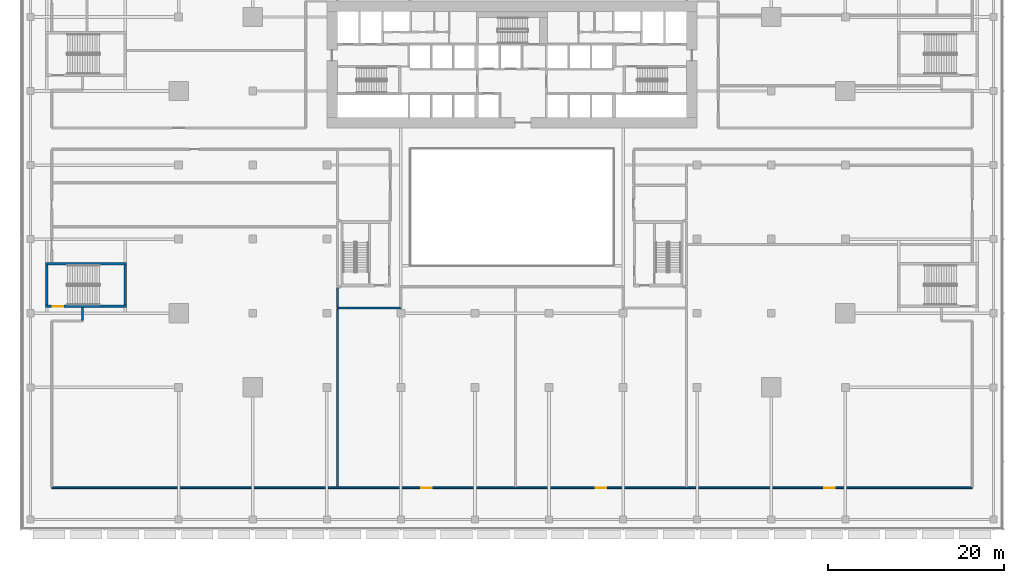
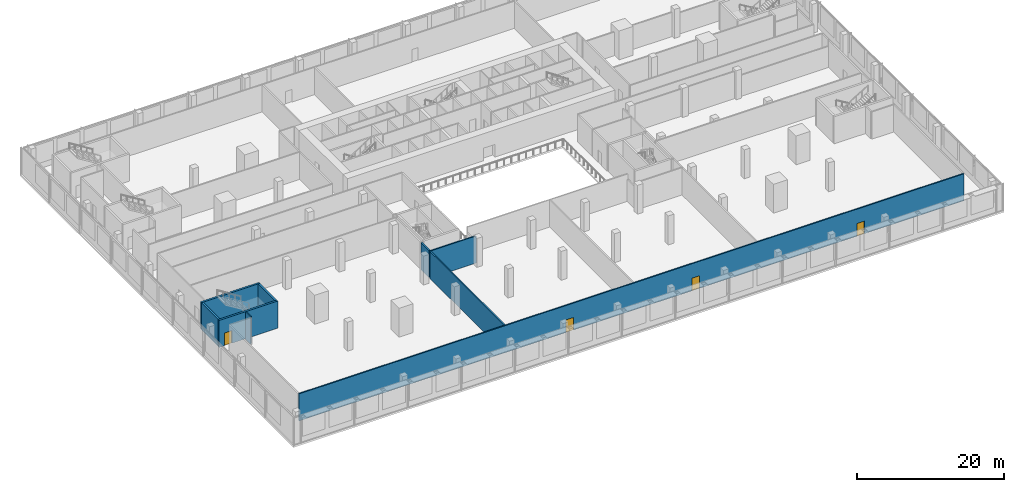
# One storey, part 26 of 39: 9 walls, 4 doors, 4 openings.
"""IFC4 building model written with IfcOpenShell, lengths in metres."""

from ifc_helpers import new_model, si_unit, direction, frame, frame_2d, origin, place, context, subcontext, project, spatial, rectangle, extrude, material, layer, layer_set, type_object, element, fill, save


model = new_model("IFC4")

# Units and contexts
model_context = context("Model", 3, precision=1e-05, world=origin(), true_north=direction((0.0, 1.0)))
body_context = subcontext(model_context, "Body", "Model", "MODEL_VIEW")
ifc_project = project(units=[si_unit("LENGTHUNIT", "METRE"), si_unit("AREAUNIT", "SQUARE_METRE"), si_unit("VOLUMEUNIT", "CUBIC_METRE"), si_unit("PLANEANGLEUNIT", "RADIAN"), si_unit("MASSUNIT", "GRAM", prefix="KILO")], contexts=[model_context])

# Site, building, storey
site_placement = place(None, origin())
site = spatial("IfcSite", under=ifc_project, at=site_placement, CompositionType="ELEMENT")
building_placement = place(site_placement, origin())
building = spatial("IfcBuilding", under=site, at=building_placement, Name="Saffron Gate Tower", CompositionType="ELEMENT")
storey_placement = place(building_placement, frame((0.0, 0.0, 14.39990234375)))
storey = spatial("IfcBuildingStorey", under=building, at=storey_placement, Name="L02", CompositionType="ELEMENT", Elevation=14.39990234375)

# Wall, opening, door
ifc_material_1 = material(Name="Concrete C70", Category="concrete")
ifc_layer_1 = layer(ifc_material_1, 0.300048828125)
ifc_layer_set_1 = layer_set([ifc_layer_1], Name="CW5 RC core wall 300 C70")
wall_type_1 = type_object("IfcWallType", Name="CW5 RC core wall 300 C70", PredefinedType="SOLIDWALL", material=ifc_layer_set_1)
wall_1_placement = place(storey_placement, frame((34.699951171875, 40.97509765625, 0.0), z_axis=(0.0, 0.0, 1.0), x_axis=(1.0, 0.0, 0.0)))
wall_1 = element("IfcWall", 1, at=wall_1_placement, inside=storey, type_object=wall_type_1, Name="Wall CW5-L02-H-1", PredefinedType="SOLIDWALL", context=body_context, shape_type="SweptSolid", body=[
    extrude(rectangle(XDim=9.199951171875, YDim=0.300048828125, at=frame_2d((4.60009765625, 0.0))), origin(), (0.0, 0.0, 1.0), 4.5),
])
opening_1_placement = place(wall_1_placement, frame((0.800048828125, 0.0, 0.0)))
opening_1 = element("IfcOpeningElement", 2, at=opening_1_placement, cuts=wall_1, Name="Opening CR-32", PredefinedType="OPENING", context=body_context, shape_type="SweptSolid", body=[
    extrude(rectangle(XDim=1.199951171875, YDim=2.10009765625, at=frame_2d((0.60009765625, 1.050048828125))), frame((0.0, 0.16015625, 0.0), z_axis=(0.0, -1.0, 0.0), x_axis=(1.0, 0.0, 0.0)), (0.0, 0.0, 1.0), 0.320068359375),
])
ifc_material_2 = material(Name="Steel fire door set", Category="steel")
door_type_1 = type_object("IfcDoorType", Name="CD12 Stair door 1200x2100 EI 120", OperationType="NOTDEFINED", PredefinedType="DOOR", material=ifc_material_2)
door_1_placement = place(opening_1_placement, origin())
door_1 = element("IfcDoor", 3, at=door_1_placement, inside=storey, type_object=door_type_1, Name="DOOR CR-32", OperationType="SINGLE_SWING_RIGHT", OverallHeight=2.10009765625, OverallWidth=1.199951171875, PredefinedType="DOOR", context=body_context, shape_type="SweptSolid", body=[
    extrude(rectangle(XDim=1.199951171875, YDim=2.10009765625, at=frame_2d((0.60009765625, 1.050048828125))), frame((0.0, 0.02490234375, 0.0), z_axis=(0.0, -1.0, 0.0), x_axis=(1.0, 0.0, 0.0)), (0.0, 0.0, 1.0), 0.050048828125),
])
fill(opening_1, door_1)

# Walls
for number, where, z_axis, x_axis, name in (
    (4, (34.85009765625, 41.125, 0.0), (0.0, 0.0, 1.0), (0.0, 1.0, 0.0), "Wall CW5-L02-H-2"),
    (5, (43.75, 41.125, 0.0), (0.0, 0.0, 1.0), (0.0, 1.0, 0.0), "Wall CW5-L02-H-3"),
):
    element("IfcWall", number, at=place(storey_placement, frame(where, z_axis=z_axis, x_axis=x_axis)), inside=storey, type_object=wall_type_1, Name=name, PredefinedType="SOLIDWALL", context=body_context, shape_type="SweptSolid", body=[
        extrude(rectangle(XDim=4.550048828125, YDim=0.300048828125, at=frame_2d((2.27490234375, 0.0))), origin(), (0.0, 0.0, 1.0), 4.5),
    ])
wall_2_placement = place(storey_placement, frame((34.699951171875, 45.824951171875, 0.0), z_axis=(0.0, 0.0, 1.0), x_axis=(1.0, 0.0, 0.0)))
element("IfcWall", 6, at=wall_2_placement, inside=storey, type_object=wall_type_1, Name="Wall CW5-L02-H-4", PredefinedType="SOLIDWALL", context=body_context, shape_type="SweptSolid", body=[
    extrude(rectangle(XDim=9.199951171875, YDim=0.300048828125, at=frame_2d((4.60009765625, 0.0))), origin(), (0.0, 0.0, 1.0), 4.5),
])

# Wall, openings, doors
ifc_material_3 = material(Name="Clay brick masonry, rendered", Category="masonry")
ifc_layer_2 = layer(ifc_material_3, 0.199951171875)
ifc_layer_set_2 = layer_set([ifc_layer_2], Name="PW3 Corridor wall 200")
wall_type_2 = type_object("IfcWallType", Name="PW3 Corridor wall 200", PredefinedType="PARTITIONING", material=ifc_layer_set_2)
wall_3_placement = place(storey_placement, frame((35.39990234375, 20.39990234375, 0.0), z_axis=(0.0, 0.0, 1.0), x_axis=(1.0, 0.0, 0.0)))
wall_3 = element("IfcWall", 7, at=wall_3_placement, inside=storey, type_object=wall_type_2, Name="Wall P2-1", PredefinedType="PARTITIONING", context=body_context, shape_type="SweptSolid", body=[
    extrude(rectangle(XDim=104.400146484375, YDim=0.199951171875, at=frame_2d((52.2001953125, 0.0))), origin(), (0.0, 0.0, 1.0), 4.5),
])
opening_2_placement = place(wall_3_placement, frame((41.89990234375, 0.0, 0.0)))
opening_2 = element("IfcOpeningElement", 8, at=opening_2_placement, cuts=wall_3, Name="Opening P2-11", PredefinedType="OPENING", context=body_context, shape_type="SweptSolid", body=[
    extrude(rectangle(XDim=1.199951171875, YDim=2.10009765625, at=frame_2d((0.60009765625, 1.050048828125))), frame((0.0, 0.10986328125, 0.0), z_axis=(0.0, -1.0, 0.0), x_axis=(1.0, 0.0, 0.0)), (0.0, 0.0, 1.0), 0.219970703125),
])
opening_3_placement = place(wall_3_placement, frame((61.699951171875, 0.0, 0.0)))
opening_3 = element("IfcOpeningElement", 9, at=opening_3_placement, cuts=wall_3, Name="Opening P2-12", PredefinedType="OPENING", context=body_context, shape_type="SweptSolid", body=[
    extrude(rectangle(XDim=1.199951171875, YDim=2.10009765625, at=frame_2d((0.60009765625, 1.050048828125))), frame((0.0, 0.10986328125, 0.0), z_axis=(0.0, -1.0, 0.0), x_axis=(1.0, 0.0, 0.0)), (0.0, 0.0, 1.0), 0.219970703125),
])
opening_4_placement = place(wall_3_placement, frame((87.60009765625, 0.0, 0.0)))
opening_4 = element("IfcOpeningElement", 10, at=opening_4_placement, cuts=wall_3, Name="Opening P2-9", PredefinedType="OPENING", context=body_context, shape_type="SweptSolid", body=[
    extrude(rectangle(XDim=1.199951171875, YDim=2.10009765625, at=frame_2d((0.60009765625, 1.050048828125))), frame((0.0, 0.10986328125, 0.0), z_axis=(0.0, -1.0, 0.0), x_axis=(1.0, 0.0, 0.0)), (0.0, 0.0, 1.0), 0.219970703125),
])
ifc_material_4 = material(Name="Timber door set", Category="wood")
door_type_2 = type_object("IfcDoorType", Name="HD1 Hall door 1200x2100", OperationType="NOTDEFINED", PredefinedType="DOOR", material=ifc_material_4)
door_2_placement = place(opening_2_placement, origin())
door_2 = element("IfcDoor", 11, at=door_2_placement, inside=storey, type_object=door_type_2, Name="Door P2-11", OperationType="SINGLE_SWING_LEFT", OverallHeight=2.10009765625, OverallWidth=1.199951171875, PredefinedType="DOOR", context=body_context, shape_type="SweptSolid", body=[
    extrude(rectangle(XDim=1.199951171875, YDim=2.10009765625, at=frame_2d((0.60009765625, 1.050048828125))), frame((0.0, 0.02490234375, 0.0), z_axis=(0.0, -1.0, 0.0), x_axis=(1.0, 0.0, 0.0)), (0.0, 0.0, 1.0), 0.050048828125),
])
fill(opening_2, door_2)
door_3_placement = place(opening_3_placement, origin())
door_3 = element("IfcDoor", 12, at=door_3_placement, inside=storey, type_object=door_type_2, Name="Door P2-12", OperationType="SINGLE_SWING_RIGHT", OverallHeight=2.10009765625, OverallWidth=1.199951171875, PredefinedType="DOOR", context=body_context, shape_type="SweptSolid", body=[
    extrude(rectangle(XDim=1.199951171875, YDim=2.10009765625, at=frame_2d((0.60009765625, 1.050048828125))), frame((0.0, 0.02490234375, 0.0), z_axis=(0.0, -1.0, 0.0), x_axis=(1.0, 0.0, 0.0)), (0.0, 0.0, 1.0), 0.050048828125),
])
fill(opening_3, door_3)
door_4_placement = place(opening_4_placement, origin())
door_4 = element("IfcDoor", 13, at=door_4_placement, inside=storey, type_object=door_type_2, Name="Door P2-9", OperationType="SINGLE_SWING_LEFT", OverallHeight=2.10009765625, OverallWidth=1.199951171875, PredefinedType="DOOR", context=body_context, shape_type="SweptSolid", body=[
    extrude(rectangle(XDim=1.199951171875, YDim=2.10009765625, at=frame_2d((0.60009765625, 1.050048828125))), frame((0.0, 0.02490234375, 0.0), z_axis=(0.0, -1.0, 0.0), x_axis=(1.0, 0.0, 0.0)), (0.0, 0.0, 1.0), 0.050048828125),
])
fill(opening_4, door_4)

# Walls
wall_4_placement = place(storey_placement, frame((67.800048828125, 40.800048828125, 0.0), z_axis=(0.0, 0.0, 1.0), x_axis=(1.0, 0.0, 0.0)))
element("IfcWall", 14, at=wall_4_placement, inside=storey, type_object=wall_type_2, Name="Wall P2-4", PredefinedType="PARTITIONING", context=body_context, shape_type="SweptSolid", body=[
    extrude(rectangle(XDim=7.199951171875, YDim=0.199951171875, at=frame_2d((3.60009765625, 0.0))), origin(), (0.0, 0.0, 1.0), 4.5),
])
wall_5_placement = place(storey_placement, frame((38.89990234375, 40.824951171875, 0.0), z_axis=(0.0, 0.0, 1.0), x_axis=(0.0, -1.0, 0.0)))
element("IfcWall", 15, at=wall_5_placement, inside=storey, type_object=wall_type_2, Name="Wall P2-43", PredefinedType="PARTITIONING", context=body_context, shape_type="SweptSolid", body=[
    extrude(rectangle(XDim=1.39990234375, YDim=0.199951171875, at=frame_2d((0.699951171875, 0.0))), origin(), (0.0, 0.0, 1.0), 4.5),
])
wall_6_placement = place(storey_placement, frame((67.800048828125, 43.10009765625, 0.0), z_axis=(0.0, 0.0, 1.0), x_axis=(0.0, -1.0, 0.0)))
element("IfcWall", 16, at=wall_6_placement, inside=storey, type_object=wall_type_2, Name="Wall P2-49", PredefinedType="PARTITIONING", context=body_context, shape_type="SweptSolid", body=[
    extrude(rectangle(XDim=2.2001953125, YDim=0.199951171875, at=frame_2d((1.10009765625, 0.0))), origin(), (0.0, 0.0, 1.0), 4.5),
])
ifc_layer_3 = layer(ifc_material_3, 0.199951171875)
ifc_layer_set_3 = layer_set([ifc_layer_3], Name="PW5 Room wall 200")
wall_type_3 = type_object("IfcWallType", Name="PW5 Room wall 200", PredefinedType="PARTITIONING", material=ifc_layer_set_3)
wall_7_placement = place(storey_placement, frame((67.800048828125, 40.699951171875, 0.0), z_axis=(0.0, 0.0, 1.0), x_axis=(0.0, -1.0, 0.0)))
element("IfcWall", 17, at=wall_7_placement, inside=storey, type_object=wall_type_3, Name="Wall P2-54", PredefinedType="PARTITIONING", context=body_context, shape_type="SweptSolid", body=[
    extrude(rectangle(XDim=20.199951171875, YDim=0.199951171875, at=frame_2d((10.10009765625, 0.0))), origin(), (0.0, 0.0, 1.0), 4.5),
])

save(model, "model.ifc")
